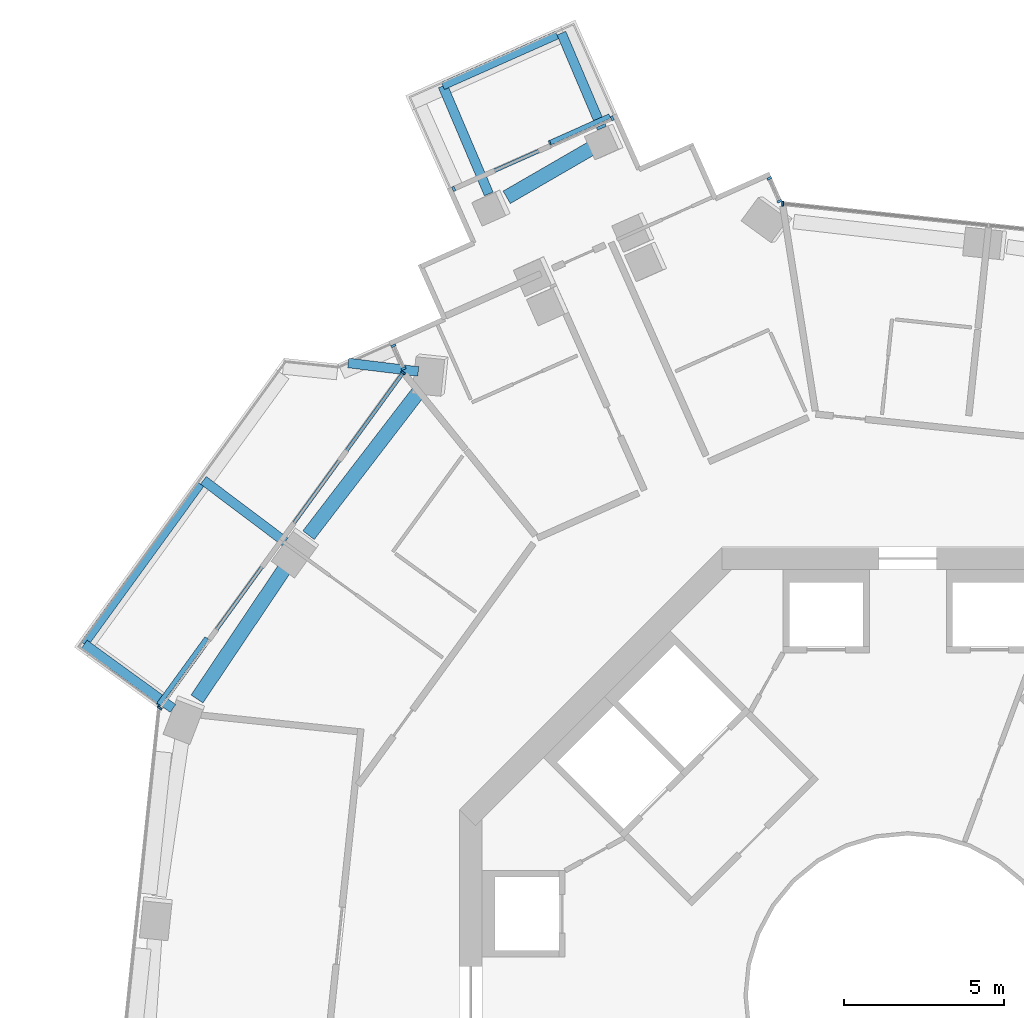
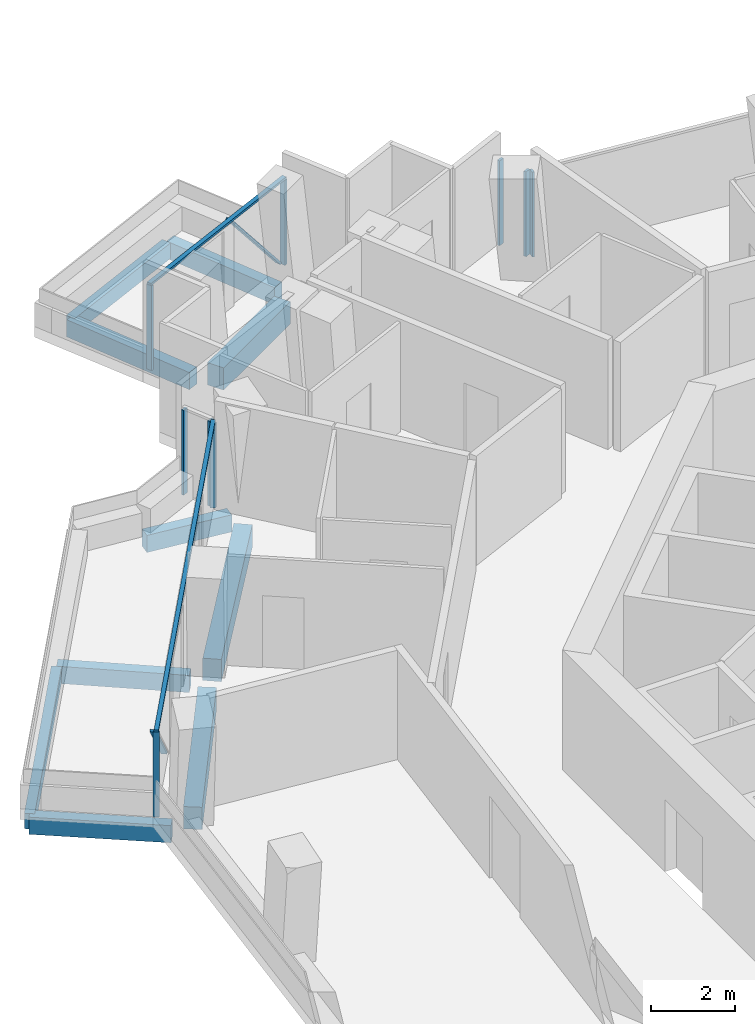
# One storey, part 7 of 23: 13 members, 10 beams, 5 elements without a shape of their own.
"""IFC4 building model written with IfcOpenShell, lengths in metres."""

from ifc_helpers import new_model, si_unit, direction, frame, origin, origin_2d, place, context, subcontext, project, spatial, rectangle, extrude, material, layer, layer_set, material_profile, profile_set, type_object, element, aggregate, save


model = new_model("IFC4")

# Units and contexts
model_context = context("Model", 3, precision=1e-05, world=origin(), true_north=direction((0.0, 1.0)))
body_context = subcontext(model_context, "Body", "Model", "MODEL_VIEW")
ifc_project = project(units=[si_unit("LENGTHUNIT", "METRE"), si_unit("AREAUNIT", "SQUARE_METRE"), si_unit("VOLUMEUNIT", "CUBIC_METRE"), si_unit("PLANEANGLEUNIT", "RADIAN"), si_unit("MASSUNIT", "GRAM", prefix="KILO")], contexts=[model_context])

# Site, building, storey
site_placement = place(None, origin())
site = spatial("IfcSite", under=ifc_project, at=site_placement, CompositionType="ELEMENT")
building_placement = place(site_placement, origin())
building = spatial("IfcBuilding", under=site, at=building_placement, Name="Verdalira Terraces Hotel", CompositionType="ELEMENT")
storey_placement = place(building_placement, frame((0.0, 0.0, 133.0)))
storey = spatial("IfcBuildingStorey", under=building, at=storey_placement, Name="L31", CompositionType="ELEMENT", Elevation=133.0)

# Beams
ifc_material_1 = material(Name="Concrete C40", Category="concrete")
ifc_material_profile_1 = material_profile(ifc_material_1, rectangle(XDim=0.300049, YDim=0.5, at=origin_2d()), Name="RC 300X500")
ifc_profile_set_1 = profile_set([ifc_material_profile_1], Name="Concrete C40")
beam_type_1 = type_object("IfcBeamType", Name="Balcony cantilever beam RC 300X500 C40", PredefinedType="BEAM", material=ifc_profile_set_1)
beam_1_placement = place(storey_placement, frame((-9.556152, 27.084717, -0.560059), z_axis=(-0.3913808, 0.920228814, 0.0), x_axis=(-0.920228814, -0.3913808, 0.0)))
element("IfcBeam", 1, at=beam_1_placement, inside=storey, type_object=beam_type_1, Name="Balcony cantilever beam R05-1", PredefinedType="BEAM", context=body_context, shape_type="SweptSolid", body=[
    extrude(rectangle(XDim=0.300049, YDim=0.5, at=origin_2d()), origin(), (0.0, 0.0, 1.0), 3.22876),
])
beam_2_placement = place(storey_placement, frame((-13.088379, 25.035156, -0.560059), z_axis=(-0.391336723, 0.920247559, 0.0), x_axis=(-0.920247559, -0.391336723, 0.0)))
element("IfcBeam", 2, at=beam_2_placement, inside=storey, type_object=beam_type_1, Name="Balcony cantilever beam R05-2", PredefinedType="BEAM", context=body_context, shape_type="SweptSolid", body=[
    extrude(rectangle(XDim=0.300049, YDim=0.5, at=origin_2d()), origin(), (0.0, 0.0, 1.0), 3.664551),
])
beam_3_placement = place(storey_placement, frame((-19.44458, 14.166992, -0.560059), z_axis=(-0.799083738, 0.601219743, 0.0), x_axis=(-0.601219743, -0.799083738, 0.0)))
element("IfcBeam", 3, at=beam_3_placement, inside=storey, type_object=beam_type_1, Name="Balcony cantilever beam R10-1", PredefinedType="BEAM", context=body_context, shape_type="SweptSolid", body=[
    extrude(rectangle(XDim=0.300049, YDim=0.5, at=origin_2d()), origin(), (0.0, 0.0, 1.0), 3.200684),
])
beam_4_placement = place(storey_placement, frame((-22.951904, 8.96582, -0.560059), z_axis=(-0.808989154, 0.58782357, 0.0), x_axis=(-0.58782357, -0.808989154, 0.0)))
element("IfcBeam", 4, at=beam_4_placement, inside=storey, type_object=beam_type_1, Name="Balcony cantilever beam R10-2", PredefinedType="BEAM", context=body_context, shape_type="SweptSolid", body=[
    extrude(rectangle(XDim=0.300049, YDim=0.5, at=origin_2d()), origin(), (0.0, 0.0, 1.0), 3.419922),
])
beam_5_placement = place(storey_placement, frame((-15.289551, 19.488037, -0.560059), z_axis=(-0.992623449, 0.121238144, 0.0), x_axis=(-0.121238144, -0.992623449, 0.0)))
element("IfcBeam", 5, at=beam_5_placement, inside=storey, type_object=beam_type_1, Name="Balcony cantilever beam R10-3", PredefinedType="BEAM", context=body_context, shape_type="SweptSolid", body=[
    extrude(rectangle(XDim=0.300049, YDim=0.5, at=origin_2d()), origin(), (0.0, 0.0, 1.0), 2.203125),
])
ifc_material_2 = material(Name="Concrete C40", Category="concrete")
ifc_material_profile_2 = material_profile(ifc_material_2, rectangle(XDim=0.25, YDim=0.449951, at=origin_2d()), Name="RC 250X450")
ifc_profile_set_2 = profile_set([ifc_material_profile_2], Name="Concrete C40")
beam_type_2 = type_object("IfcBeamType", Name="Balcony edge beam RC 250X450 C40", PredefinedType="BEAM", material=ifc_profile_set_2)
beam_6_placement = place(storey_placement, frame((-10.956787, 29.995117, -0.534912), z_axis=(-0.913535346, -0.406759353, 0.0), x_axis=(0.406759353, -0.913535346, 0.0)))
element("IfcBeam", 6, at=beam_6_placement, inside=storey, type_object=beam_type_2, Name="Balcony edge beam R05-1", PredefinedType="BEAM", context=body_context, shape_type="SweptSolid", body=[
    extrude(rectangle(XDim=0.25, YDim=0.449951, at=origin_2d()), origin(), (0.0, 0.0, 1.0), 3.903076),
])
beam_7_placement = place(storey_placement, frame((-22.090332, 15.969971, -0.534912), z_axis=(-0.587774188, -0.809025033, 0.0), x_axis=(0.809025033, -0.587774188, 0.0)))
element("IfcBeam", 7, at=beam_7_placement, inside=storey, type_object=beam_type_2, Name="Balcony edge beam R10-1", PredefinedType="BEAM", context=body_context, shape_type="SweptSolid", body=[
    extrude(rectangle(XDim=0.25, YDim=0.449951, at=origin_2d()), origin(), (0.0, 0.0, 1.0), 6.172852),
])

# Curtain wall, members
ifc_material_3 = material(Name="Clear glass", Category="glass")
ifc_layer_1 = layer(ifc_material_3, 0.14990234375)
ifc_layer_set_1 = layer_set([ifc_layer_1], Name="CW1 curtain wall")
curtain_wall_type_1 = type_object("IfcCurtainWallType", Name="CW1 curtain wall", PredefinedType="NOTDEFINED", material=ifc_layer_set_1)
curtain_wall_1_placement = place(storey_placement, origin())
curtain_wall_1 = element("IfcCurtainWall", 8, at=curtain_wall_1_placement, inside=storey, type_object=curtain_wall_type_1, Name="CW1 curtain wall L31 edge 11", PredefinedType="NOTDEFINED")
ifc_material_4 = material(Name="Terracotta frame", Category="masonry")
ifc_material_profile_3 = material_profile(ifc_material_4, rectangle(XDim=0.060059, YDim=0.149902, at=origin_2d()), Name="MU 60x150")
ifc_profile_set_3 = profile_set([ifc_material_profile_3], Name="Terracotta frame")
member_type_1 = type_object("IfcMemberType", Name="CW1 mullion 60x150", PredefinedType="MULLION", material=ifc_profile_set_3)
member_1_placement = place(storey_placement, frame((-15.761719, 19.448975, 0.0), z_axis=(0.0, 0.0, 1.0), x_axis=(-0.587785252, -0.809016994, 0.0)))
member_1 = element("IfcMember", 9, at=member_1_placement, type_object=member_type_1, Name="CW1 mullion", PredefinedType="MULLION", context=body_context, shape_type="SweptSolid", body=[
    extrude(rectangle(XDim=0.060059, YDim=0.149902, at=origin_2d()), origin(), (0.0, 0.0, 1.0), 2.475098),
])
member_2_placement = place(storey_placement, frame((-23.367676, 8.980225, 0.0), z_axis=(0.0, 0.0, 1.0), x_axis=(-0.587785252, -0.809016994, 0.0)))
member_2 = element("IfcMember", 10, at=member_2_placement, type_object=member_type_1, Name="CW1 mullion", PredefinedType="MULLION", context=body_context, shape_type="SweptSolid", body=[
    extrude(rectangle(XDim=0.060059, YDim=0.149902, at=origin_2d()), origin(), (0.0, 0.0, 1.0), 2.475098),
])

# Curtain wall, member
curtain_wall_2_placement = place(storey_placement, origin())
curtain_wall_2 = element("IfcCurtainWall", 11, at=curtain_wall_2_placement, inside=storey, type_object=curtain_wall_type_1, Name="CW1 curtain wall L31 edge 41", PredefinedType="NOTDEFINED")
member_3_placement = place(storey_placement, frame((-3.906738, 24.727051, 0.0), z_axis=(0.0, 0.0, 1.0), x_axis=(-0.994521895, 0.104528463, 0.0)))
member_3 = element("IfcMember", 12, at=member_3_placement, type_object=member_type_1, Name="CW1 mullion", PredefinedType="MULLION", context=body_context, shape_type="SweptSolid", body=[
    extrude(rectangle(XDim=0.060059, YDim=0.149902, at=origin_2d()), origin(), (0.0, 0.0, 1.0), 2.475098),
])
aggregate(curtain_wall_2, [member_3])

# Member
ifc_material_5 = material(Name="Terracotta frame", Category="masonry")
ifc_material_profile_4 = material_profile(ifc_material_5, rectangle(XDim=0.110107, YDim=0.064941, at=origin_2d()), Name="TR 65x110")
ifc_profile_set_4 = profile_set([ifc_material_profile_4], Name="Terracotta frame")
member_type_2 = type_object("IfcMemberType", Name="CW1 transom 65x110", PredefinedType="USERDEFINED", material=ifc_profile_set_4)
member_4_placement = place(storey_placement, frame((-15.744141, 19.473145, 2.507568), z_axis=(-0.587785264, -0.809016986, 0.0), x_axis=(0.809016986, -0.587785264, 0.0)))
member_4 = element("IfcMember", 13, at=member_4_placement, type_object=member_type_2, Name="CW1 transom", ObjectType="TRANSOM", PredefinedType="USERDEFINED", context=body_context, shape_type="SweptSolid", body=[
    extrude(rectangle(XDim=0.110107, YDim=0.064941, at=origin_2d()), origin(), (0.0, 0.0, 1.0), 12.999756),
])

# Curtain wall, members
ifc_material_6 = material(Name="Clear glass", Category="glass")
ifc_layer_2 = layer(ifc_material_6, 0.14990234375)
ifc_layer_set_2 = layer_set([ifc_layer_2], Name="CW2 curtain wall")
curtain_wall_type_2 = type_object("IfcCurtainWallType", Name="CW2 curtain wall", PredefinedType="NOTDEFINED", material=ifc_layer_set_2)
curtain_wall_3_placement = place(storey_placement, origin())
curtain_wall_3 = element("IfcCurtainWall", 14, at=curtain_wall_3_placement, inside=storey, type_object=curtain_wall_type_2, Name="CW2 curtain wall L31 edge 0", PredefinedType="NOTDEFINED")
ifc_material_7 = material(Name="Terracotta frame", Category="masonry")
ifc_material_profile_5 = material_profile(ifc_material_7, rectangle(XDim=0.070068, YDim=0.149902, at=origin_2d()), Name="MU 70x150")
ifc_profile_set_5 = profile_set([ifc_material_profile_5], Name="Terracotta frame")
member_type_3 = type_object("IfcMemberType", Name="CW2 mullion 70x150", PredefinedType="MULLION", material=ifc_profile_set_5)
member_5_placement = place(storey_placement, frame((-4.011475, 24.806396, 0.0), z_axis=(0.0, 0.0, 1.0), x_axis=(-0.406736643, 0.913545458, 0.0)))
member_5 = element("IfcMember", 15, at=member_5_placement, type_object=member_type_3, Name="CW2 mullion", PredefinedType="MULLION", context=body_context, shape_type="SweptSolid", body=[
    extrude(rectangle(XDim=0.070068, YDim=0.149902, at=origin_2d()), origin(), (0.0, 0.0, 1.0), 2.475098),
])
member_6_placement = place(storey_placement, frame((-4.328613, 25.518799, 0.0), z_axis=(0.0, 0.0, 1.0), x_axis=(-0.406736643, 0.913545458, 0.0)))
member_6 = element("IfcMember", 16, at=member_6_placement, type_object=member_type_3, Name="CW2 mullion", PredefinedType="MULLION", context=body_context, shape_type="SweptSolid", body=[
    extrude(rectangle(XDim=0.070068, YDim=0.149902, at=origin_2d()), origin(), (0.0, 0.0, 1.0), 2.475098),
])
aggregate(curtain_wall_3, [member_5, member_6])

curtain_wall_4_placement = place(storey_placement, origin())
curtain_wall_4 = element("IfcCurtainWall", 17, at=curtain_wall_4_placement, inside=storey, type_object=curtain_wall_type_2, Name="CW2 curtain wall L31 edge 10", PredefinedType="NOTDEFINED")
member_7_placement = place(storey_placement, frame((-16.067871, 20.292236, 0.0), z_axis=(0.0, 0.0, 1.0), x_axis=(0.406736643, -0.913545458, 0.0)))
member_7 = element("IfcMember", 18, at=member_7_placement, type_object=member_type_3, Name="CW2 mullion", PredefinedType="MULLION", context=body_context, shape_type="SweptSolid", body=[
    extrude(rectangle(XDim=0.070068, YDim=0.149902, at=origin_2d()), origin(), (0.0, 0.0, 1.0), 2.475098),
])
member_8_placement = place(storey_placement, frame((-15.750488, 19.579834, 0.0), z_axis=(0.0, 0.0, 1.0), x_axis=(0.406736643, -0.913545458, 0.0)))
member_8 = element("IfcMember", 19, at=member_8_placement, type_object=member_type_3, Name="CW2 mullion", PredefinedType="MULLION", context=body_context, shape_type="SweptSolid", body=[
    extrude(rectangle(XDim=0.070068, YDim=0.149902, at=origin_2d()), origin(), (0.0, 0.0, 1.0), 2.475098),
])
aggregate(curtain_wall_4, [member_7, member_8])

ifc_material_8 = material(Name="Clear glass", Category="glass")
ifc_layer_3 = layer(ifc_material_8, 0.14990234375)
ifc_layer_set_3 = layer_set([ifc_layer_3], Name="CW3 curtain wall")
curtain_wall_type_3 = type_object("IfcCurtainWallType", Name="CW3 curtain wall", PredefinedType="NOTDEFINED", material=ifc_layer_set_3)
curtain_wall_5_placement = place(storey_placement, origin())
curtain_wall_5 = element("IfcCurtainWall", 20, at=curtain_wall_5_placement, inside=storey, type_object=curtain_wall_type_3, Name="CW3 curtain wall L31 edge 5", PredefinedType="NOTDEFINED")
ifc_material_9 = material(Name="Terracotta frame", Category="masonry")
ifc_material_profile_6 = material_profile(ifc_material_9, rectangle(XDim=0.080078, YDim=0.149902, at=origin_2d()), Name="MU 80x150")
ifc_profile_set_6 = profile_set([ifc_material_profile_6], Name="Terracotta frame")
member_type_4 = type_object("IfcMemberType", Name="CW3 mullion 80x150", PredefinedType="MULLION", material=ifc_profile_set_6)
member_9_placement = place(storey_placement, frame((-9.231445, 27.397217, 0.0), z_axis=(0.0, 0.0, 1.0), x_axis=(-0.913545458, -0.406736643, 0.0)))
member_9 = element("IfcMember", 21, at=member_9_placement, type_object=member_type_4, Name="CW3 mullion", PredefinedType="MULLION", context=body_context, shape_type="SweptSolid", body=[
    extrude(rectangle(XDim=0.080078, YDim=0.149902, at=origin_2d()), origin(), (0.0, 0.0, 1.0), 2.475098),
])
member_10_placement = place(storey_placement, frame((-14.182861, 25.192627, 0.0), z_axis=(0.0, 0.0, 1.0), x_axis=(-0.913545458, -0.406736643, 0.0)))
member_10 = element("IfcMember", 22, at=member_10_placement, type_object=member_type_4, Name="CW3 mullion", PredefinedType="MULLION", context=body_context, shape_type="SweptSolid", body=[
    extrude(rectangle(XDim=0.080078, YDim=0.149902, at=origin_2d()), origin(), (0.0, 0.0, 1.0), 2.475098),
])
ifc_material_10 = material(Name="Terracotta frame", Category="masonry")
ifc_material_profile_7 = material_profile(ifc_material_10, rectangle(XDim=0.120117, YDim=0.064941, at=origin_2d()), Name="TR 65x120")
ifc_profile_set_7 = profile_set([ifc_material_profile_7], Name="Terracotta frame")
member_type_5 = type_object("IfcMemberType", Name="CW3 transom 65x120", PredefinedType="USERDEFINED", material=ifc_profile_set_7)
member_11_placement = place(storey_placement, frame((-9.195068, 27.41333, 2.507568), z_axis=(-0.913542263, -0.406743817, 0.0), x_axis=(0.406743817, -0.913542263, 0.0)))
member_11 = element("IfcMember", 23, at=member_11_placement, type_object=member_type_5, Name="CW3 transom", ObjectType="TRANSOM", PredefinedType="USERDEFINED", context=body_context, shape_type="SweptSolid", body=[
    extrude(rectangle(XDim=0.120117, YDim=0.064941, at=origin_2d()), origin(), (0.0, 0.0, 1.0), 5.5),
])
ifc_material_11 = material(Name="Terracotta frame", Category="masonry")
ifc_material_profile_8 = material_profile(ifc_material_11, rectangle(XDim=0.149902, YDim=0.060059, at=origin_2d()), Name="GB 60x150")
ifc_profile_set_8 = profile_set([ifc_material_profile_8], Name="Terracotta frame")
member_type_6 = type_object("IfcMemberType", Name="Diagonal glazing bar 60x150", PredefinedType="USERDEFINED", material=ifc_profile_set_8)
member_12_placement = place(storey_placement, frame((-9.328125, 27.456055, 0.028809), z_axis=(-0.587720036, -0.261732972, 0.765559279), x_axis=(0.406818563, -0.91350898, 0.0)))
member_12 = element("IfcMember", 24, at=member_12_placement, type_object=member_type_6, Name="Diagonal glazing bar", ObjectType="GLAZING BAR", PredefinedType="USERDEFINED", context=body_context, shape_type="SweptSolid", body=[
    extrude(rectangle(XDim=0.149902, YDim=0.060059, at=origin_2d()), origin(), (0.0, 0.0, 1.0), 3.157471),
])
aggregate(curtain_wall_5, [member_9, member_10, member_11, member_12])

# Member
member_13_placement = place(storey_placement, frame((-21.905518, 11.144287, 0.023193), z_axis=(-0.426057553, -0.586495608, 0.688838053), x_axis=(0.809054022, -0.587734285, 0.0)))
member_13 = element("IfcMember", 25, at=member_13_placement, type_object=member_type_6, Name="Diagonal glazing bar", ObjectType="GLAZING BAR", PredefinedType="USERDEFINED", context=body_context, shape_type="SweptSolid", body=[
    extrude(rectangle(XDim=0.149902, YDim=0.060059, at=origin_2d()), origin(), (0.0, 0.0, 1.0), 3.525879),
])

aggregate(curtain_wall_1, [member_1, member_2, member_4, member_13])

# Beams
ifc_material_12 = material(Name="Concrete C50", Category="concrete")
ifc_material_profile_9 = material_profile(ifc_material_12, rectangle(XDim=0.449951, YDim=0.649902, at=origin_2d()), Name="RC 450X650")
ifc_profile_set_9 = profile_set([ifc_material_profile_9], Name="Concrete C50")
beam_type_3 = type_object("IfcBeamType", Name="Spandrel beam RC 450X650 C50", PredefinedType="SPANDREL", material=ifc_profile_set_9)
beam_8_placement = place(storey_placement, frame((-9.766357, 26.526611, -0.63501), z_axis=(-0.865485631, -0.500933751, 0.0), x_axis=(0.500933751, -0.865485631, 0.0)))
element("IfcBeam", 26, at=beam_8_placement, inside=storey, type_object=beam_type_3, Name="Spandrel beam B01", PredefinedType="SPANDREL", context=body_context, shape_type="SweptSolid", body=[
    extrude(rectangle(XDim=0.449951, YDim=0.649902, at=origin_2d()), origin(), (0.0, 0.0, 1.0), 3.191895),
])
beam_9_placement = place(storey_placement, frame((-15.262451, 18.875488, -0.63501), z_axis=(-0.608997046, -0.79317249, 0.0), x_axis=(0.79317249, -0.608997046, 0.0)))
element("IfcBeam", 27, at=beam_9_placement, inside=storey, type_object=beam_type_3, Name="Spandrel beam B02", PredefinedType="SPANDREL", context=body_context, shape_type="SweptSolid", body=[
    extrude(rectangle(XDim=0.449951, YDim=0.649902, at=origin_2d()), origin(), (0.0, 0.0, 1.0), 5.672119),
])
beam_10_placement = place(storey_placement, frame((-19.40332, 13.420898, -0.63501), z_axis=(-0.558146208, -0.829742617, 0.0), x_axis=(0.829742617, -0.558146208, 0.0)))
element("IfcBeam", 28, at=beam_10_placement, inside=storey, type_object=beam_type_3, Name="Spandrel beam B03", PredefinedType="SPANDREL", context=body_context, shape_type="SweptSolid", body=[
    extrude(rectangle(XDim=0.449951, YDim=0.649902, at=origin_2d()), origin(), (0.0, 0.0, 1.0), 5.012207),
])

save(model, "model.ifc")
